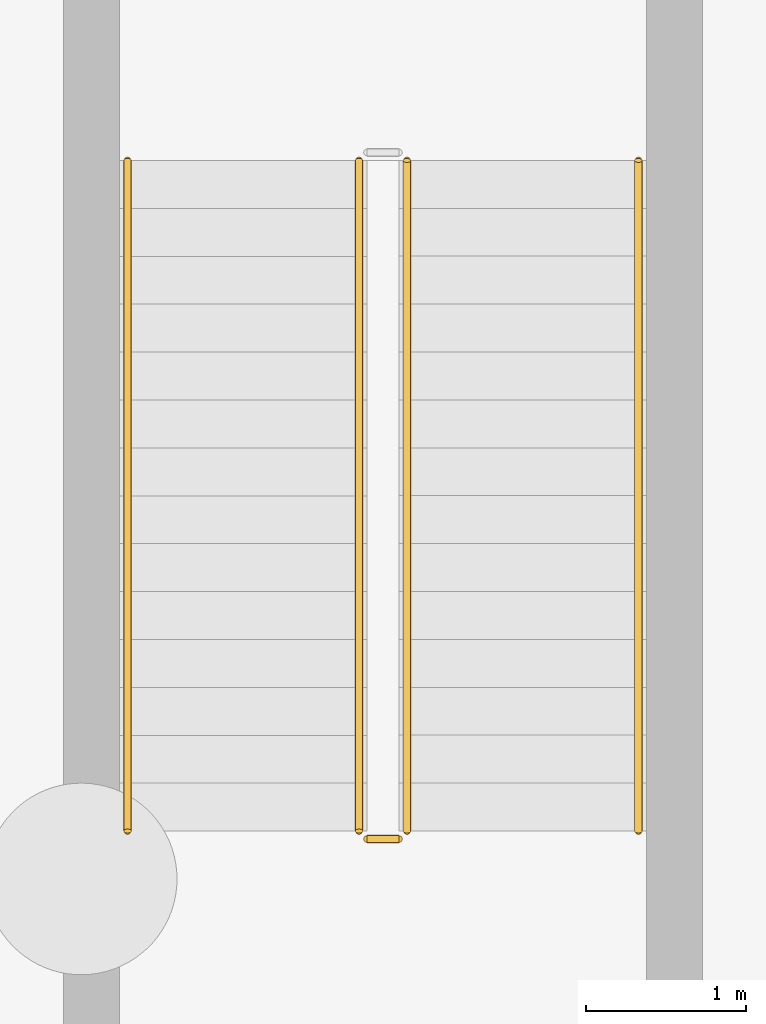
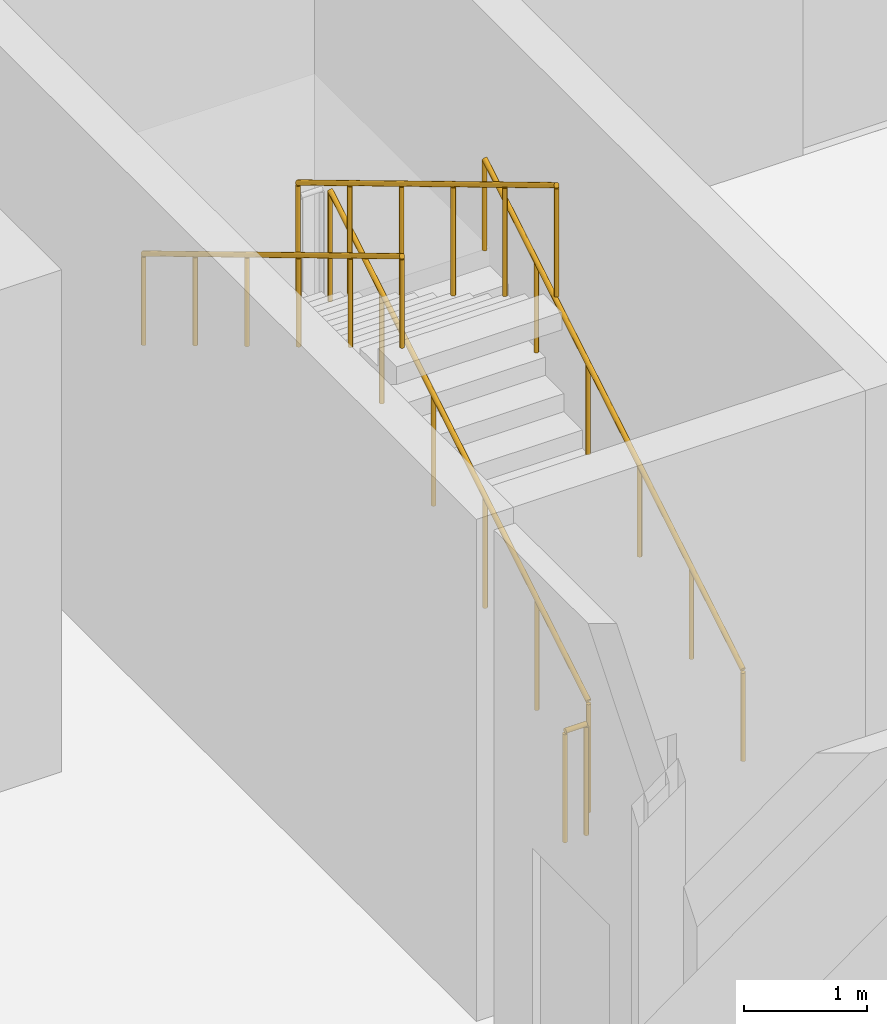
# One storey, part 24 of 33: 5 railings.
"""IFC4 building model written with IfcOpenShell, lengths in metres."""

from ifc_helpers import new_model, si_unit, direction, frame, origin, origin_2d, place, context, subcontext, project, spatial, circle, extrude, material, type_object, element, save


model = new_model("IFC4")

# Units and contexts
model_context = context("Model", 3, precision=1e-05, world=origin(), true_north=direction((0.0, 1.0)))
body_context = subcontext(model_context, "Body", "Model", "MODEL_VIEW")
ifc_project = project(units=[si_unit("LENGTHUNIT", "METRE"), si_unit("AREAUNIT", "SQUARE_METRE"), si_unit("VOLUMEUNIT", "CUBIC_METRE"), si_unit("PLANEANGLEUNIT", "RADIAN"), si_unit("MASSUNIT", "GRAM", prefix="KILO")], contexts=[model_context])

# Site, building, storey
site_placement = place(None, origin())
site = spatial("IfcSite", under=ifc_project, at=site_placement, CompositionType="ELEMENT")
building_placement = place(site_placement, origin())
building = spatial("IfcBuilding", under=site, at=building_placement, Name="Soyqirgoq Riverine Aquarium", CompositionType="ELEMENT")
storey_placement = place(building_placement, frame((0.0, 0.0, -5.39990234375)))
storey = spatial("IfcBuildingStorey", under=building, at=storey_placement, Name="B01", CompositionType="ELEMENT", Elevation=-5.39990234375)

# Railings
ifc_material_1 = material(Name="Brushed stainless steel 316L tubular handrail", Category="steel")
railing_type_1 = type_object("IfcRailingType", Name="StairPitchHandrail_920", PredefinedType="HANDRAIL", material=ifc_material_1)
railing_1_placement = place(storey_placement, frame((127.75, 62.050048828125, 0.179931640625)))
element("IfcRailing", 1, at=railing_1_placement, inside=storey, type_object=railing_type_1, Name="B01 ST-8 stair handrail 1", PredefinedType="HANDRAIL", context=body_context, shape_type="SweptSolid", body=[
    extrude(circle(Radius=0.02392578125, at=origin_2d()), frame((0.0, 0.0, 0.89990234375), z_axis=(0.0, 0.857488527567, 0.514503085598), x_axis=(-1.0, 0.0, 0.0)), (0.0, 0.0, 1.0), 4.89794921875),
    extrude(circle(Radius=0.02099609375, at=origin_2d()), origin(), (0.0, 0.0, 1.0), 0.875732421875),
    extrude(circle(Radius=0.02099609375, at=origin_2d()), frame((0.0, 0.840087890625, 0.50390625)), (0.0, 0.0, 1.0), 0.875732421875),
    extrude(circle(Radius=0.02099609375, at=origin_2d()), frame((0.0, 1.679931640625, 1.008056640625)), (0.0, 0.0, 1.0), 0.875732421875),
    extrude(circle(Radius=0.02099609375, at=origin_2d()), frame((0.0, 2.52001953125, 1.511962890625)), (0.0, 0.0, 1.0), 0.875732421875),
    extrude(circle(Radius=0.02099609375, at=origin_2d()), frame((0.0, 3.35986328125, 2.01611328125)), (0.0, 0.0, 1.0), 0.875732421875),
    extrude(circle(Radius=0.02099609375, at=origin_2d()), frame((0.0, 4.199951171875, 2.52001953125)), (0.0, 0.0, 1.0), 0.875732421875),
])
railing_2_placement = place(storey_placement, frame((124.550048828125, 66.25, 2.8798828125)))
element("IfcRailing", 2, at=railing_2_placement, inside=storey, type_object=railing_type_1, Name="B01 ST-8 stair handrail 2", PredefinedType="HANDRAIL", context=body_context, shape_type="SweptSolid", body=[
    extrude(circle(Radius=0.02392578125, at=origin_2d()), frame((0.0, 0.0, 0.89990234375), z_axis=(0.0, -0.857488527567, 0.514503085598), x_axis=(1.0, 0.0, 0.0)), (0.0, 0.0, 1.0), 4.89794921875),
    extrude(circle(Radius=0.02099609375, at=origin_2d()), origin(), (0.0, 0.0, 1.0), 0.875732421875),
    extrude(circle(Radius=0.02099609375, at=origin_2d()), frame((0.0, -0.840087890625, 0.50390625)), (0.0, 0.0, 1.0), 0.875732421875),
    extrude(circle(Radius=0.02099609375, at=origin_2d()), frame((0.0, -1.679931640625, 1.008056640625)), (0.0, 0.0, 1.0), 0.875732421875),
    extrude(circle(Radius=0.02099609375, at=origin_2d()), frame((0.0, -2.52001953125, 1.511962890625)), (0.0, 0.0, 1.0), 0.875732421875),
    extrude(circle(Radius=0.02099609375, at=origin_2d()), frame((0.0, -3.35986328125, 2.01611328125)), (0.0, 0.0, 1.0), 0.875732421875),
    extrude(circle(Radius=0.02099609375, at=origin_2d()), frame((0.0, -4.199951171875, 2.52001953125)), (0.0, 0.0, 1.0), 0.875732421875),
])
ifc_material_2 = material(Name="Painted steel infill stair-well guardrail", Category="steel")
railing_type_2 = type_object("IfcRailingType", Name="StairWellGuard_1120", PredefinedType="GUARDRAIL", material=ifc_material_2)
railing_3_placement = place(storey_placement, frame((126.300048828125, 62.050048828125, 0.179931640625)))
element("IfcRailing", 3, at=railing_3_placement, inside=storey, type_object=railing_type_2, Name="B01 ST-8 stair guard 1", PredefinedType="GUARDRAIL", context=body_context, shape_type="SweptSolid", body=[
    extrude(circle(Radius=0.02392578125, at=origin_2d()), frame((0.0, 0.0, 1.09619140625), z_axis=(0.0, 0.857488527567, 0.514503085598), x_axis=(-1.0, 0.0, 0.0)), (0.0, 0.0, 1.0), 4.89794921875),
    extrude(circle(Radius=0.02099609375, at=origin_2d()), origin(), (0.0, 0.0, 1.0), 1.072021484375),
    extrude(circle(Radius=0.02099609375, at=origin_2d()), frame((0.0, 0.840087890625, 0.50390625)), (0.0, 0.0, 1.0), 1.072021484375),
    extrude(circle(Radius=0.02099609375, at=origin_2d()), frame((0.0, 1.679931640625, 1.008056640625)), (0.0, 0.0, 1.0), 1.072021484375),
    extrude(circle(Radius=0.02099609375, at=origin_2d()), frame((0.0, 2.52001953125, 1.511962890625)), (0.0, 0.0, 1.0), 1.072021484375),
    extrude(circle(Radius=0.02099609375, at=origin_2d()), frame((0.0, 3.35986328125, 2.01611328125)), (0.0, 0.0, 1.0), 1.072021484375),
    extrude(circle(Radius=0.02099609375, at=origin_2d()), frame((0.0, 4.199951171875, 2.52001953125)), (0.0, 0.0, 1.0), 1.072021484375),
])
railing_4_placement = place(storey_placement, frame((126.0, 66.25, 2.8798828125)))
element("IfcRailing", 4, at=railing_4_placement, inside=storey, type_object=railing_type_2, Name="B01 ST-8 stair guard 3", PredefinedType="GUARDRAIL", context=body_context, shape_type="SweptSolid", body=[
    extrude(circle(Radius=0.02392578125, at=origin_2d()), frame((0.0, 0.0, 1.09619140625), z_axis=(0.0, -0.857488527567, 0.514503085598), x_axis=(1.0, 0.0, 0.0)), (0.0, 0.0, 1.0), 4.89794921875),
    extrude(circle(Radius=0.02099609375, at=origin_2d()), origin(), (0.0, 0.0, 1.0), 1.072021484375),
    extrude(circle(Radius=0.02099609375, at=origin_2d()), frame((0.0, -0.840087890625, 0.50390625)), (0.0, 0.0, 1.0), 1.072021484375),
    extrude(circle(Radius=0.02099609375, at=origin_2d()), frame((0.0, -1.679931640625, 1.008056640625)), (0.0, 0.0, 1.0), 1.072021484375),
    extrude(circle(Radius=0.02099609375, at=origin_2d()), frame((0.0, -2.52001953125, 1.511962890625)), (0.0, 0.0, 1.0), 1.072021484375),
    extrude(circle(Radius=0.02099609375, at=origin_2d()), frame((0.0, -3.35986328125, 2.01611328125)), (0.0, 0.0, 1.0), 1.072021484375),
    extrude(circle(Radius=0.02099609375, at=origin_2d()), frame((0.0, -4.199951171875, 2.52001953125)), (0.0, 0.0, 1.0), 1.072021484375),
])
railing_5_placement = place(storey_placement, frame((126.25, 62.0, 0.0)))
element("IfcRailing", 5, at=railing_5_placement, inside=storey, type_object=railing_type_2, Name="B01 ST-8 stair guard 4", PredefinedType="GUARDRAIL", context=body_context, shape_type="SweptSolid", body=[
    extrude(circle(Radius=0.02392578125, at=origin_2d()), frame((0.0, 0.0, 1.09619140625), z_axis=(-1.0, 0.0, 0.0), x_axis=(0.0, -1.0, 0.0)), (0.0, 0.0, 1.0), 0.199951171875),
    extrude(circle(Radius=0.02099609375, at=origin_2d()), origin(), (0.0, 0.0, 1.0), 1.072021484375),
    extrude(circle(Radius=0.02099609375, at=origin_2d()), frame((-0.199951171875, 0.0, 0.0)), (0.0, 0.0, 1.0), 1.072021484375),
])

save(model, "model.ifc")
